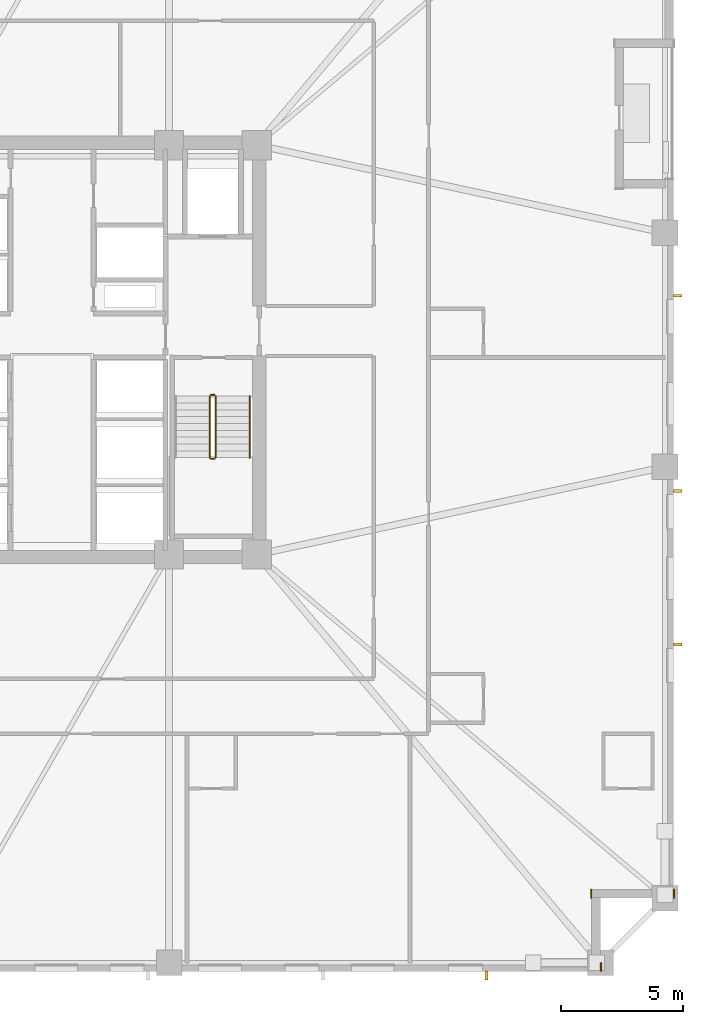
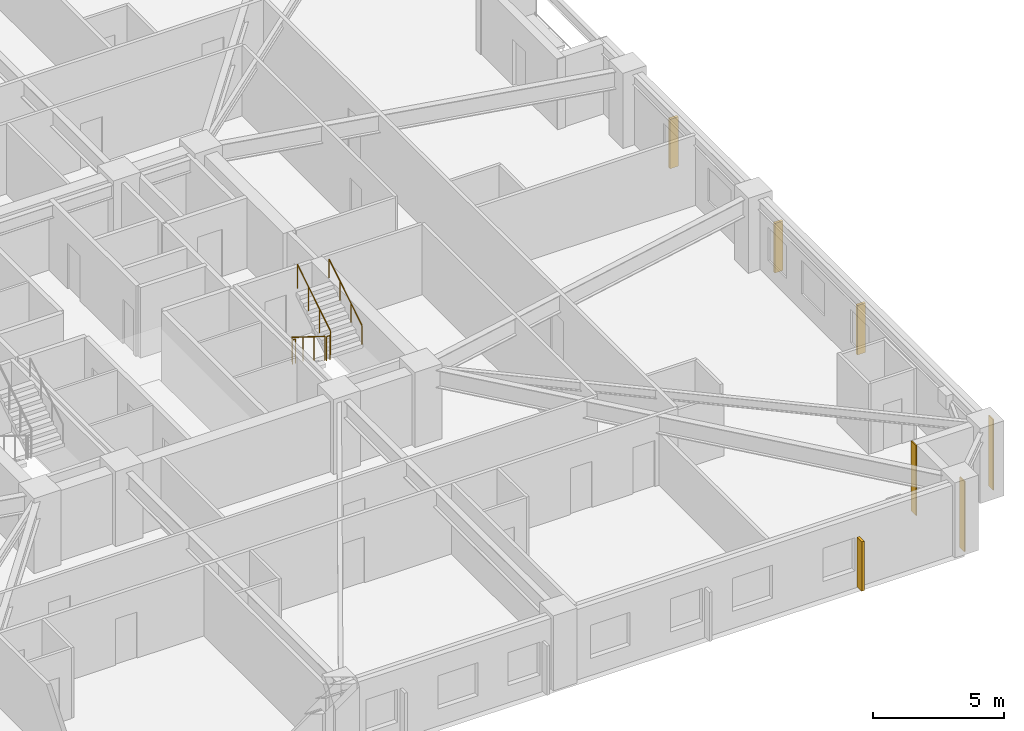
# One storey, part 10 of 12: 5 railings, 4 shading devices, 3 coverings.
"""IFC4 building model written with IfcOpenShell, lengths in metres."""

from ifc_helpers import new_model, si_unit, direction, frame, frame_2d, origin, origin_2d, place, context, subcontext, project, spatial, rectangle, circle, extrude, material, layer, layer_set, type_object, element, save


model = new_model("IFC4")

# Units and contexts
model_context = context("Model", 3, precision=1e-05, world=origin(), true_north=direction((0.0, 1.0)))
body_context = subcontext(model_context, "Body", "Model", "MODEL_VIEW")
ifc_project = project(units=[si_unit("LENGTHUNIT", "METRE"), si_unit("AREAUNIT", "SQUARE_METRE"), si_unit("VOLUMEUNIT", "CUBIC_METRE"), si_unit("PLANEANGLEUNIT", "RADIAN"), si_unit("MASSUNIT", "GRAM", prefix="KILO")], contexts=[model_context])

# Site, building, storey
site_placement = place(None, origin())
site = spatial("IfcSite", under=ifc_project, at=site_placement, CompositionType="ELEMENT")
building_placement = place(site_placement, origin())
building = spatial("IfcBuilding", under=site, at=building_placement, Name="Cairnveth Concourse Tower", CompositionType="ELEMENT")
storey_placement = place(building_placement, frame((0.0, 0.0, 83.0)))
storey = spatial("IfcBuildingStorey", under=building, at=storey_placement, Name="L22", CompositionType="ELEMENT", Elevation=83.0)

# Coverings
ifc_material_1 = material(Name="Dressed Melbourne Bluestone Cladding", Category="masonry")
ifc_layer = layer(ifc_material_1, 0.050048828125)
ifc_layer_set = layer_set([ifc_layer], Name="Dressed Melbourne Bluestone Cladding")
covering_type = type_object("IfcCoveringType", Name="DRESSED BLUESTONE PLINTH CLADDING 50", PredefinedType="CLADDING", material=ifc_layer_set)
for number, where, z_axis, x_axis, name in (
    (1, (77.52001953125, 16.860107421875, 0.0), (0.0, 0.0, 1.0), (0.0, -1.0, 0.0), "Melbourne Bluestone Corner Quoin L22-296"),
    (2, (74.1201171875, 16.860107421875, 0.0), (0.0, 0.0, 1.0), (0.0, -1.0, 0.0), "Melbourne Bluestone Corner Quoin L22-297"),
    (3, (74.52001953125, 13.860107421875, 0.0), (0.0, 0.0, 1.0), (0.0, -1.0, 0.0), "Melbourne Bluestone Corner Quoin L22-298"),
):
    element("IfcCovering", number, at=place(storey_placement, frame(where, z_axis=z_axis, x_axis=x_axis)), inside=storey, type_object=covering_type, Name=name, PredefinedType="CLADDING", context=body_context, shape_type="SweptSolid", body=[
        extrude(rectangle(XDim=0.360107421875, YDim=0.050048828125, at=frame_2d((0.18017578125, 0.0))), origin(), (0.0, 0.0, 1.0), 3.280029296875),
    ])

# Shading devices
ifc_material_2 = material(Name="Architectural Bronze Anodised Aluminium 6063-T6", Category="aluminium")
shading_device_type = type_object("IfcShadingDeviceType", Name="GOTHIC BRONZE VERTICAL LANCET FIN", PredefinedType="USERDEFINED", material=ifc_material_2)
for number, where, z_axis, x_axis, name in (
    (4, (77.675048828125, 41.221435546875, 0.02978515625), (0.0, 0.0, 1.0), (0.0, 1.0, 0.0), "Gothic Bronze Vertical Fin L22-0-1"),
    (5, (77.675048828125, 33.217529296875, 0.02978515625), (0.0, 0.0, 1.0), (0.0, 1.0, 0.0), "Gothic Bronze Vertical Fin L22-0-3"),
    (6, (77.675048828125, 26.91357421875, 0.02978515625), (0.0, 0.0, 1.0), (0.0, 1.0, 0.0), "Gothic Bronze Vertical Fin L22-0-5"),
    (7, (69.829833984375, 13.324951171875, 0.02978515625), (0.0, 0.0, 1.0), (1.0, 0.0, 0.0), "Gothic Bronze Vertical Fin L22-3-1"),
):
    element("IfcShadingDevice", number, at=place(storey_placement, frame(where, z_axis=z_axis, x_axis=x_axis)), inside=storey, type_object=shading_device_type, Name=name, ObjectType="VERTICAL FIN", PredefinedType="USERDEFINED", context=body_context, shape_type="SweptSolid", body=[
        extrude(rectangle(XDim=0.1201171875, YDim=0.360107421875, at=origin_2d()), origin(), (0.0, 0.0, 1.0), 2.303955078125),
    ])

# Railings
ifc_material_3 = material(Name="Steel Grade 350", Category="steel")
railing_type_1 = type_object("IfcRailingType", Name="STAIR GUARDRAIL 1150", PredefinedType="GUARDRAIL", material=ifc_material_3)
railing_1_placement = place(storey_placement, frame((58.469970703125, 37.10009765625, 0.175048828125)))
element("IfcRailing", 8, at=railing_1_placement, inside=storey, type_object=railing_type_1, Name="L22 ST-2 stair guard 1", PredefinedType="GUARDRAIL", context=body_context, shape_type="SweptSolid", body=[
    extrude(circle(Radius=0.02392578125, at=origin_2d()), frame((0.0, 0.0, 1.1259765625), z_axis=(0.0, -0.848007534815, 0.529984170421), x_axis=(1.0, 0.0, 0.0)), (0.0, 0.0, 1.0), 2.9716796875),
    extrude(circle(Radius=0.02099609375, at=origin_2d()), origin(), (0.0, 0.0, 1.0), 1.101806640625),
    extrude(circle(Radius=0.02099609375, at=origin_2d()), frame((0.0, -0.840087890625, 0.52490234375)), (0.0, 0.0, 1.0), 1.101806640625),
    extrude(circle(Radius=0.02099609375, at=origin_2d()), frame((0.0, -1.679931640625, 1.050048828125)), (0.0, 0.0, 1.0), 1.101806640625),
    extrude(circle(Radius=0.02099609375, at=origin_2d()), frame((0.0, -2.52001953125, 1.574951171875)), (0.0, 0.0, 1.0), 1.101806640625),
])
railing_2_placement = place(storey_placement, frame((58.52001953125, 34.530029296875, 1.75)))
element("IfcRailing", 9, at=railing_2_placement, inside=storey, type_object=railing_type_1, Name="L22 ST-2 stair guard 2", PredefinedType="GUARDRAIL", context=body_context, shape_type="SweptSolid", body=[
    extrude(circle(Radius=0.02392578125, at=origin_2d()), frame((0.0, 0.0, 1.1259765625), z_axis=(1.0, 0.0, 0.0), x_axis=(0.0, 1.0, 0.0)), (0.0, 0.0, 1.0), 0.139892578125),
    extrude(circle(Radius=0.02099609375, at=origin_2d()), origin(), (0.0, 0.0, 1.0), 1.101806640625),
    extrude(circle(Radius=0.02099609375, at=origin_2d()), frame((0.139892578125, 0.0, 0.0)), (0.0, 0.0, 1.0), 1.101806640625),
])
railing_3_placement = place(storey_placement, frame((58.7099609375, 34.580078125, 1.925048828125)))
element("IfcRailing", 10, at=railing_3_placement, inside=storey, type_object=railing_type_1, Name="L22 ST-2 stair guard 3", PredefinedType="GUARDRAIL", context=body_context, shape_type="SweptSolid", body=[
    extrude(circle(Radius=0.02392578125, at=origin_2d()), frame((0.0, 0.0, 1.1259765625), z_axis=(0.0, 0.848007534815, 0.529984170421), x_axis=(-1.0, 0.0, 0.0)), (0.0, 0.0, 1.0), 2.9716796875),
    extrude(circle(Radius=0.02099609375, at=origin_2d()), origin(), (0.0, 0.0, 1.0), 1.101806640625),
    extrude(circle(Radius=0.02099609375, at=origin_2d()), frame((0.0, 0.840087890625, 0.52490234375)), (0.0, 0.0, 1.0), 1.101806640625),
    extrude(circle(Radius=0.02099609375, at=origin_2d()), frame((0.0, 1.679931640625, 1.050048828125)), (0.0, 0.0, 1.0), 1.101806640625),
    extrude(circle(Radius=0.02099609375, at=origin_2d()), frame((0.0, 2.52001953125, 1.574951171875)), (0.0, 0.0, 1.0), 1.101806640625),
])
railing_4_placement = place(storey_placement, frame((58.52001953125, 37.14990234375, 0.0)))
element("IfcRailing", 11, at=railing_4_placement, inside=storey, type_object=railing_type_1, Name="L22 ST-2 stair guard 4", PredefinedType="GUARDRAIL", context=body_context, shape_type="SweptSolid", body=[
    extrude(circle(Radius=0.02392578125, at=origin_2d()), frame((0.0, 0.0, 1.1259765625), z_axis=(1.0, 0.0, 0.0), x_axis=(0.0, 1.0, 0.0)), (0.0, 0.0, 1.0), 0.139892578125),
    extrude(circle(Radius=0.02099609375, at=origin_2d()), origin(), (0.0, 0.0, 1.0), 1.101806640625),
    extrude(circle(Radius=0.02099609375, at=origin_2d()), frame((0.139892578125, 0.0, 0.0)), (0.0, 0.0, 1.0), 1.101806640625),
])
railing_type_2 = type_object("IfcRailingType", Name="STAIR WALL HANDRAIL 900", PredefinedType="HANDRAIL", material=ifc_material_3)
railing_5_placement = place(storey_placement, frame((60.110107421875, 34.580078125, 1.925048828125)))
element("IfcRailing", 12, at=railing_5_placement, inside=storey, type_object=railing_type_2, Name="L22 ST-2 stair handrail 2", PredefinedType="HANDRAIL", context=body_context, shape_type="SweptSolid", body=[
    extrude(circle(Radius=0.02392578125, at=origin_2d()), frame((0.0, 0.0, 0.8759765625), z_axis=(0.0, 0.848007534815, 0.529984170421), x_axis=(-1.0, 0.0, 0.0)), (0.0, 0.0, 1.0), 2.9716796875),
    extrude(circle(Radius=0.02099609375, at=origin_2d()), origin(), (0.0, 0.0, 1.0), 0.851806640625),
    extrude(circle(Radius=0.02099609375, at=origin_2d()), frame((0.0, 0.840087890625, 0.52490234375)), (0.0, 0.0, 1.0), 0.851806640625),
    extrude(circle(Radius=0.02099609375, at=origin_2d()), frame((0.0, 1.679931640625, 1.050048828125)), (0.0, 0.0, 1.0), 0.851806640625),
    extrude(circle(Radius=0.02099609375, at=origin_2d()), frame((0.0, 2.52001953125, 1.574951171875)), (0.0, 0.0, 1.0), 0.851806640625),
])

save(model, "model.ifc")
